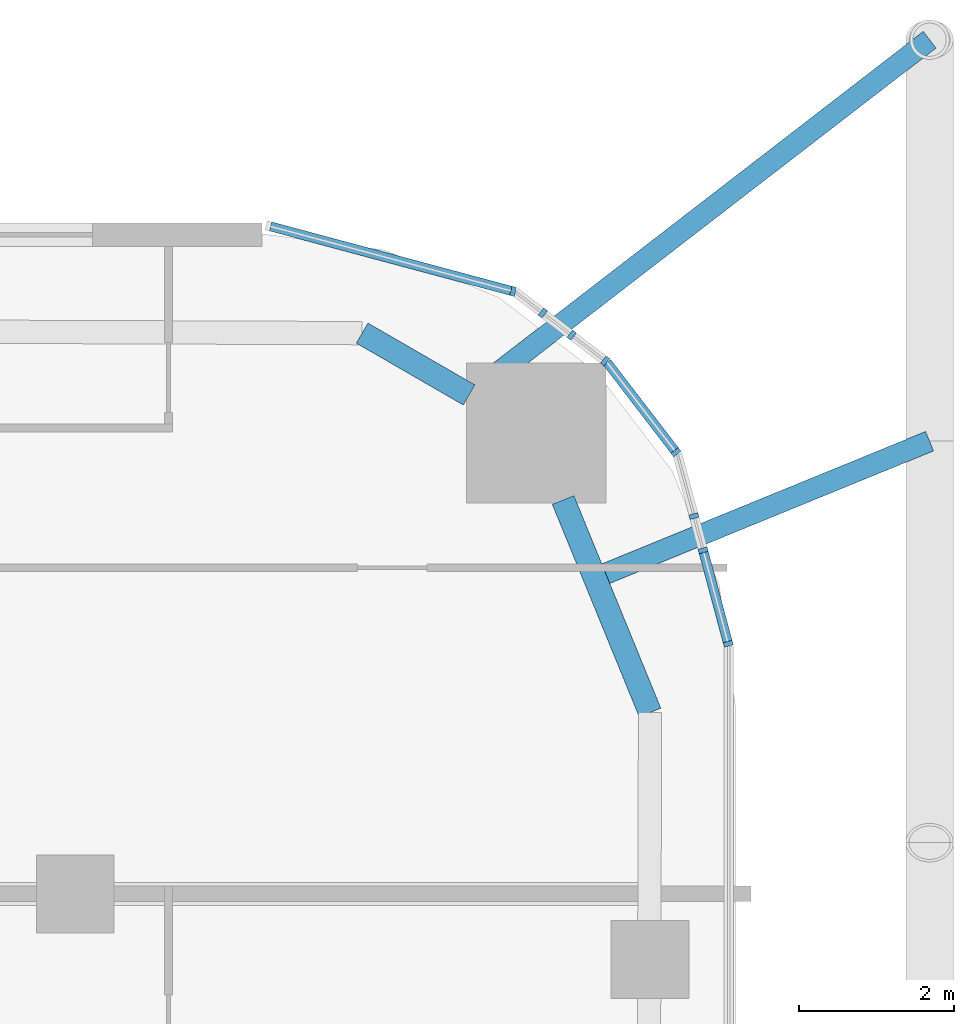
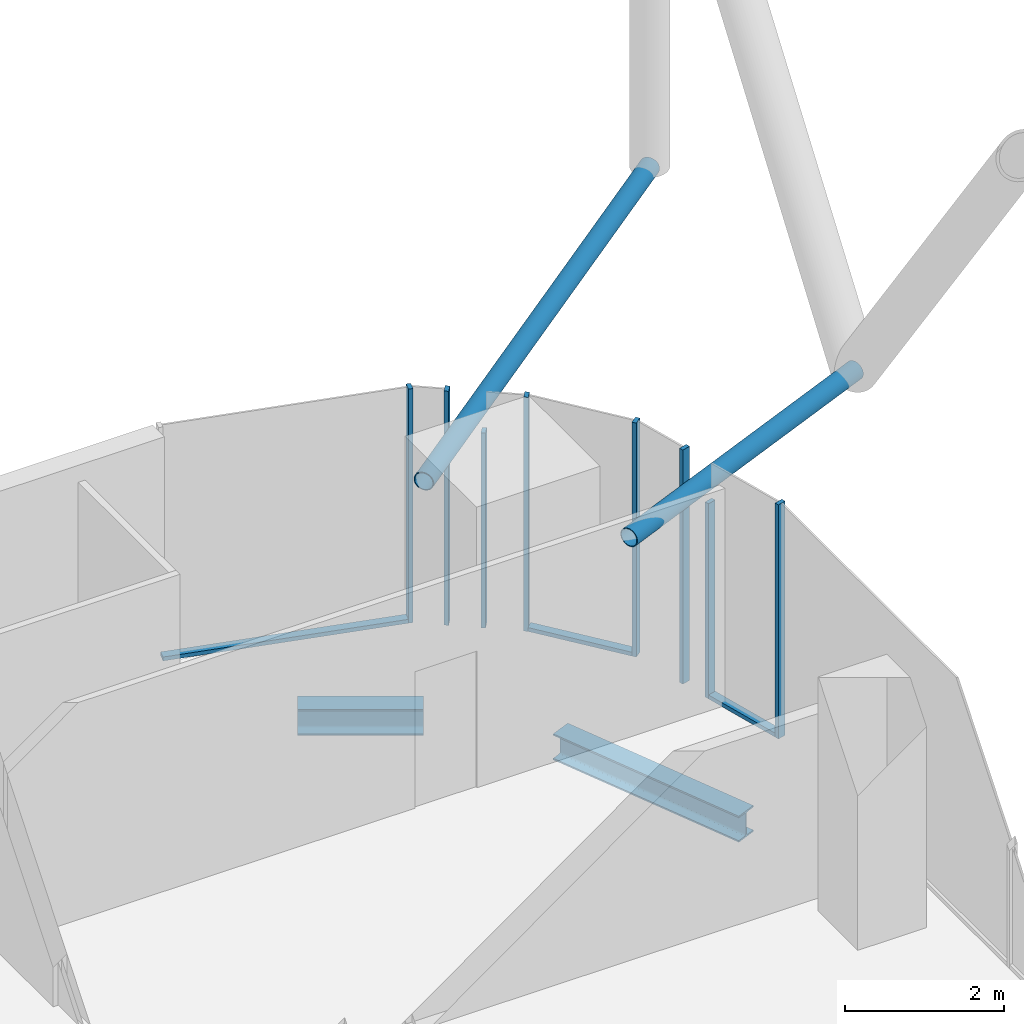
# One storey, part 14 of 38: 13 members, 2 beams, 8 elements without a shape of their own.
"""IFC4 building model written with IfcOpenShell, lengths in metres."""

import ifcopenshell
import ifcopenshell.guid

model = None  # the IFC model being written
_history = None  # IfcOwnerHistory: only IFC2X3 demands one
_inside = {}  # id of a spatial element -> (the spatial element, [elements in it])
_under = {}  # id of a project, library or spatial element -> (it, [spatial elements below it])
_declared = {}  # id of a project -> (the project, [libraries it declares])
_typed = {}  # id of a type object -> (the type object, [elements of that type])
_made_of = {}  # id of a material, layer set ... -> (it, [elements and type objects made of it])


def new_model(schema):
    """Start an empty IFC model of exactly this schema.

    Asked for "IFC4X3", IfcOpenShell would pick the latest addendum, in which some entities
    have other attributes; the version numbers below select the first issue.
    IFC2X3 requires an IfcOwnerHistory on every rooted entity: one is made here for all.
    """
    global model, _history
    if schema == "IFC4X3":
        model = ifcopenshell.file(schema_version=(4, 3, 0, 0))
    else:
        model = ifcopenshell.file(schema=schema)
    _inside.clear()
    _under.clear()
    _declared.clear()
    _typed.clear()
    _made_of.clear()
    _history = None
    if model.schema == "IFC2X3":
        org = make("IfcOrganization", Name="unknown")
        user = make(
            "IfcPersonAndOrganization",
            ThePerson=make("IfcPerson", FamilyName="unknown"),
            TheOrganization=org,
        )
        app = make(
            "IfcApplication",
            ApplicationDeveloper=org,
            Version="unknown",
            ApplicationFullName="unknown",
            ApplicationIdentifier="unknown",
        )
        _history = make(
            "IfcOwnerHistory",
            OwningUser=user,
            OwningApplication=app,
            ChangeAction="ADDED",
            CreationDate=0,
        )
    return model


def make(cls, **values):
    """One entity of the class cls with the attributes given. An attribute that is None is left unset."""
    return model.create_entity(
        cls, **{name: value for name, value in values.items() if value is not None}
    )


def rooted(cls, **values):
    """An entity with a GlobalId (a new one), such as an element, a storey or a relation."""
    return make(cls, GlobalId=ifcopenshell.guid.new(), OwnerHistory=_history, **values)


def si_unit(unit_type, name, prefix=None):
    """IfcSIUnit, for example si_unit("LENGTHUNIT", "METRE", prefix="MILLI")."""
    return make("IfcSIUnit", UnitType=unit_type, Prefix=prefix, Name=name)


def assignment(units):
    """IfcUnitAssignment: the units of a project."""
    return None if units is None else make("IfcUnitAssignment", Units=units)


def point(xyz):
    """IfcCartesianPoint."""
    return None if xyz is None else make("IfcCartesianPoint", Coordinates=xyz)


def direction(xyz):
    """IfcDirection."""
    return None if xyz is None else make("IfcDirection", DirectionRatios=xyz)


def frame(location, z_axis=None, x_axis=None):
    """IfcAxis2Placement3D, a coordinate frame: its origin and axes. An axis left out is left unset."""
    return make(
        "IfcAxis2Placement3D",
        Location=point(location),
        Axis=direction(z_axis),
        RefDirection=direction(x_axis),
    )


def frame_2d(location, x_axis=None):
    """IfcAxis2Placement2D, a coordinate frame in the plane: its origin and x axis."""
    return make(
        "IfcAxis2Placement2D", Location=point(location), RefDirection=direction(x_axis)
    )


def origin():
    """The frame at (0, 0, 0) with its axes left unset."""
    return frame((0.0, 0.0, 0.0))


def origin_2d():
    """The frame at (0, 0) in the plane with its x axis left unset."""
    return frame_2d((0.0, 0.0))


def place(relative_to, where):
    """IfcLocalPlacement: puts the frame where relative to a parent placement (None: the world)."""
    return make(
        "IfcLocalPlacement", PlacementRelTo=relative_to, RelativePlacement=where
    )


def context(
    kind, dimensions, precision=None, world=None, true_north=None, identifier=None
):
    """IfcGeometricRepresentationContext, for example the 3D "Model" context."""
    return make(
        "IfcGeometricRepresentationContext",
        ContextIdentifier=identifier,
        ContextType=kind,
        CoordinateSpaceDimension=dimensions,
        Precision=precision,
        WorldCoordinateSystem=world,
        TrueNorth=true_north,
    )


def subcontext(parent, identifier, kind, view, scale=None):
    """IfcGeometricRepresentationSubContext, for example "Body" below "Model"."""
    return make(
        "IfcGeometricRepresentationSubContext",
        ContextIdentifier=identifier,
        ContextType=kind,
        ParentContext=parent,
        TargetScale=scale,
        TargetView=view,
    )


def project(units=None, contexts=None):
    """IfcProject with its units and contexts."""
    return rooted(
        "IfcProject",
        Name="project",
        RepresentationContexts=contexts,
        UnitsInContext=assignment(units),
    )


def spatial(cls, under=None, at=None, **own):
    """A site, building, storey or space (cls), placed at a placement, below another one or the project."""
    s = rooted(cls, ObjectPlacement=at, **own)
    if under is not None:
        _under.setdefault(under.id(), (under, []))[1].append(s)
    return s


def profile(cls, at=None, kind="AREA", **sizes):
    """A parametric profile (cls). Its sizes go by their IFC names, for example OverallWidth=200.0."""
    return make(cls, ProfileType=kind, Position=at, **sizes)


def rectangle(**sizes):
    """IfcRectangleProfileDef."""
    return profile("IfcRectangleProfileDef", **sizes)


def hollow_circle(**sizes):
    """IfcCircleHollowProfileDef."""
    return profile("IfcCircleHollowProfileDef", **sizes)


def i_section(**sizes):
    """IfcIShapeProfileDef."""
    return profile("IfcIShapeProfileDef", **sizes)


def extrude(swept, where, along, depth):
    """IfcExtrudedAreaSolid: the profile swept, set in the frame where, extruded along a direction by depth."""
    return make(
        "IfcExtrudedAreaSolid",
        SweptArea=swept,
        Position=where,
        ExtrudedDirection=direction(along),
        Depth=depth,
    )


def shape(context_of_items, identifier, shape_type, items):
    """IfcShapeRepresentation: the items that make up one representation, for example the "Body"."""
    return make(
        "IfcShapeRepresentation",
        ContextOfItems=context_of_items,
        RepresentationIdentifier=identifier,
        RepresentationType=shape_type,
        Items=items,
    )


def material(Name=None, Category=None):
    """IfcMaterial."""
    return make("IfcMaterial", Name=Name, Category=Category)


def layer(
    of_material, thickness, ventilated=None, Name=None, Category=None, Priority=None
):
    """IfcMaterialLayer: one layer of a wall or slab, of a material (None: an air gap)."""
    return make(
        "IfcMaterialLayer",
        Material=of_material,
        LayerThickness=thickness,
        IsVentilated=ventilated,
        Name=Name,
        Category=Category,
        Priority=Priority,
    )


def layer_set(layers, Name=None):
    """IfcMaterialLayerSet."""
    return make("IfcMaterialLayerSet", MaterialLayers=layers, LayerSetName=Name)


def material_profile(
    of_material, cross_section, Name=None, Category=None, Priority=None
):
    """IfcMaterialProfile: a cross section and its material."""
    return make(
        "IfcMaterialProfile",
        Name=Name,
        Material=of_material,
        Profile=cross_section,
        Priority=Priority,
        Category=Category,
    )


def profile_set(profiles, Name=None, composite=None):
    """IfcMaterialProfileSet."""
    return make(
        "IfcMaterialProfileSet",
        Name=Name,
        MaterialProfiles=profiles,
        CompositeProfile=composite,
    )


def made_of(thing, what):
    """Note that an element or type object is made of a material, layer set ...; save() writes the relation."""
    if what is not None:
        _made_of.setdefault(what.id(), (what, []))[1].append(thing)
    return thing


def type_object(cls, material=None, **own):
    """A type object (cls), such as IfcWallType, which elements share."""
    return made_of(rooted(cls, **own), material)


def element(
    cls,
    number,
    at=None,
    inside=None,
    cuts=None,
    type_object=None,
    material=None,
    context=None,
    identifier="Body",
    shape_type=None,
    held_by="IfcProductDefinitionShape",
    body=None,
    shapes=None,
    **own,
):
    """One element of the class cls, such as IfcWall. Its Tag is "e" and its number.

    at: its placement. inside: the storey or other place that contains it. cuts: it is an
    opening in that element (IfcRelVoidsElement). A single representation is given by context,
    identifier, shape_type and body (its items); several are given by shapes. held_by: the class
    of the entity that holds the representations. save() writes the other relations.
    """
    e = rooted(cls, Tag="e%d" % number, ObjectPlacement=at, **own)
    if body is not None:
        shapes = [shape(context, identifier, shape_type, body)]
    if shapes is not None:
        e.Representation = make(held_by, Representations=shapes)
    if inside is not None:
        _inside.setdefault(inside.id(), (inside, []))[1].append(e)
    if cuts is not None:
        rooted(
            "IfcRelVoidsElement", RelatingBuildingElement=cuts, RelatedOpeningElement=e
        )
    if type_object is not None:
        _typed.setdefault(type_object.id(), (type_object, []))[1].append(e)
    return made_of(e, material)


def aggregate(whole, parts):
    """IfcRelAggregates: a whole, such as a stair, and the parts it consists of."""
    return rooted("IfcRelAggregates", RelatingObject=whole, RelatedObjects=parts)


def save(model, path):
    """Write the relations noted so far, then the file.

    IfcRelAggregates (storeys below a building ...), IfcRelContainedInSpatialStructure (elements
    in a storey), IfcRelDefinesByType, IfcRelAssociatesMaterial and IfcRelDeclares: one each for
    every whole, place, type object, material and project.
    """
    for whole, parts in _under.values():
        aggregate(whole, parts)
    for where, things in _inside.values():
        rooted(
            "IfcRelContainedInSpatialStructure",
            RelatedElements=things,
            RelatingStructure=where,
        )
    for kind, things in _typed.values():
        rooted("IfcRelDefinesByType", RelatedObjects=things, RelatingType=kind)
    for what, things in _made_of.values():
        rooted("IfcRelAssociatesMaterial", RelatedObjects=things, RelatingMaterial=what)
    for by, libraries in _declared.values():
        rooted("IfcRelDeclares", RelatingContext=by, RelatedDefinitions=libraries)
    model.write(path)


model = new_model("IFC4")

# Units and contexts
model_context = context("Model", 3, precision=1e-05, world=origin(), true_north=direction((0.0, 1.0)))
body_context = subcontext(model_context, "Body", "Model", "MODEL_VIEW")
ifc_project = project(units=[si_unit("LENGTHUNIT", "METRE"), si_unit("AREAUNIT", "SQUARE_METRE"), si_unit("VOLUMEUNIT", "CUBIC_METRE"), si_unit("PLANEANGLEUNIT", "RADIAN"), si_unit("MASSUNIT", "GRAM", prefix="KILO")], contexts=[model_context])

# Site, building, storey
site_placement = place(None, origin())
site = spatial("IfcSite", under=ifc_project, at=site_placement, CompositionType="ELEMENT")
building_placement = place(site_placement, origin())
building = spatial("IfcBuilding", under=site, at=building_placement, Name="Marenta Gate Hotel Tower", CompositionType="ELEMENT")
storey_placement = place(building_placement, frame((0.0, 0.0, 54.5)))
storey = spatial("IfcBuildingStorey", under=building, at=storey_placement, Name="L11", CompositionType="ELEMENT", Elevation=54.5)

# Beams
ifc_material_1 = material(Name="Steel S355", Category="steel")
ifc_material_profile_1 = material_profile(ifc_material_1, i_section(OverallWidth=0.300048828125, OverallDepth=0.39990234375, WebThickness=0.013427734375, FlangeThickness=0.02392578125, FilletRadius=0.027099609375, at=origin_2d()), Name="HEB 400")
ifc_profile_set_1 = profile_set([ifc_material_profile_1], Name="Steel S355")
beam_type = type_object("IfcBeamType", Name="Edge beam HEB 400", PredefinedType="SPANDREL", material=ifc_profile_set_1)
beam_1_placement = place(storey_placement, frame((24.69189453125, 32.42138671875, -0.4599609375), z_axis=(0.865968422476, -0.500098681536, 0.0), x_axis=(0.500098681536, 0.865968422476, 0.0)))
element("IfcBeam", 1, at=beam_1_placement, inside=storey, type_object=beam_type, Name="L11-EB-20", PredefinedType="SPANDREL", context=body_context, shape_type="SweptSolid", body=[
    extrude(i_section(OverallWidth=0.300048828125, OverallDepth=0.39990234375, WebThickness=0.013427734375, FlangeThickness=0.02392578125, FilletRadius=0.027099609375, at=origin_2d()), origin(), (0.0, 0.0, 1.0), 1.591552734375),
])
beam_2_placement = place(storey_placement, frame((27.280029296875, 30.2724609375, -0.4599609375), z_axis=(0.378565359962, -0.925574561144, 0.0), x_axis=(0.925574561144, 0.378565359962, 0.0)))
element("IfcBeam", 2, at=beam_2_placement, inside=storey, type_object=beam_type, Name="L11-EB-21", PredefinedType="SPANDREL", context=body_context, shape_type="SweptSolid", body=[
    extrude(i_section(OverallWidth=0.300048828125, OverallDepth=0.39990234375, WebThickness=0.013427734375, FlangeThickness=0.02392578125, FilletRadius=0.027099609375, at=origin_2d()), origin(), (0.0, 0.0, 1.0), 2.958251953125),
])

# Members
ifc_material_2 = material(Name="Steel S355J2W", Category="steel")
ifc_material_profile_2 = material_profile(ifc_material_2, hollow_circle(Radius=0.136474609375, WallThickness=0.012451171875, at=origin_2d()), Name="CHS 273x12.5")
ifc_profile_set_2 = profile_set([ifc_material_profile_2], Name="Steel S355J2W")
member_type_1 = type_object("IfcMemberType", Name="Floor tie CHS 273x12.5", PredefinedType="STRUT", material=ifc_profile_set_2)
member_1_placement = place(storey_placement, frame((32.0, 36.199951171875, 3.139892578125), z_axis=(-0.791777746729, -0.610809299032, 0.0), x_axis=(0.610809299032, -0.791777746729, 0.0)))
element("IfcMember", 3, at=member_1_placement, inside=storey, type_object=member_type_1, Name="L11-DR-7", PredefinedType="STRUT", context=body_context, shape_type="SweptSolid", body=[
    extrude(hollow_circle(Radius=0.136474609375, WallThickness=0.012451171875, at=origin_2d()), origin(), (0.0, 0.0, 1.0), 7.48193359375),
])
member_2_placement = place(storey_placement, frame((32.0, 31.030029296875, 3.139892578125), z_axis=(-0.925554485394, -0.378614440516, 0.0), x_axis=(0.378614440516, -0.925554485394, 0.0)))
element("IfcMember", 4, at=member_2_placement, inside=storey, type_object=member_type_1, Name="L11-DR-8", PredefinedType="STRUT", context=body_context, shape_type="SweptSolid", body=[
    extrude(hollow_circle(Radius=0.136474609375, WallThickness=0.012451171875, at=origin_2d()), origin(), (0.0, 0.0, 1.0), 4.6484375),
])

# Curtain wall, member
ifc_material_3 = material(Name="Tinted insulated glass in bronze anodised frame", Category="glass")
ifc_layer = layer(ifc_material_3, 0.1201171875)
ifc_layer_set = layer_set([ifc_layer], Name="Tinted insulated glass in bronze anodised frame")
curtain_wall_type = type_object("IfcCurtainWallType", Name="Tower unitised curtain wall CW1", PredefinedType="NOTDEFINED", material=ifc_layer_set)
curtain_wall_1_placement = place(storey_placement, origin())
curtain_wall_1 = element("IfcCurtainWall", 5, at=curtain_wall_1_placement, inside=storey, type_object=curtain_wall_type, Name="CW1 run G35", PredefinedType="NOTDEFINED")
ifc_material_4 = material(Name="Bronze anodised aluminium", Category="aluminium")
ifc_material_profile_3 = material_profile(ifc_material_4, rectangle(XDim=0.1201171875, YDim=0.06005859375, at=origin_2d()), Name="Mullion CW1 60x120 bronze anodised aluminium")
ifc_profile_set_3 = profile_set([ifc_material_profile_3], Name="Bronze anodised aluminium")
member_type_2 = type_object("IfcMemberType", Name="Mullion CW1 60x120 bronze anodised aluminium", PredefinedType="MULLION", material=ifc_profile_set_3)
member_3_placement = place(storey_placement, frame((29.40625, 28.4208984375, 0.0), z_axis=(0.0, 0.0, 1.0), x_axis=(-0.965926558196, -0.258816313572, 0.0)))
member_3 = element("IfcMember", 6, at=member_3_placement, type_object=member_type_2, Name="CW1 mullion 1", PredefinedType="MULLION", context=body_context, shape_type="SweptSolid", body=[
    extrude(rectangle(XDim=0.1201171875, YDim=0.06005859375, at=origin_2d()), origin(), (0.0, 0.0, 1.0), 3.60009765625),
])

curtain_wall_2_placement = place(storey_placement, origin())
curtain_wall_2 = element("IfcCurtainWall", 7, at=curtain_wall_2_placement, inside=storey, type_object=curtain_wall_type, Name="CW1 run G36", PredefinedType="NOTDEFINED")
member_4_placement = place(storey_placement, frame((29.083740234375, 29.62451171875, 0.0), z_axis=(0.0, 0.0, 1.0), x_axis=(-0.965921659399, -0.258834595648, 0.0)))
member_4 = element("IfcMember", 8, at=member_4_placement, type_object=member_type_2, Name="CW1 mullion 1", PredefinedType="MULLION", context=body_context, shape_type="SweptSolid", body=[
    extrude(rectangle(XDim=0.1201171875, YDim=0.06005859375, at=origin_2d()), origin(), (0.0, 0.0, 1.0), 3.00048828125),
])
aggregate(curtain_wall_2, [member_4])

curtain_wall_3_placement = place(storey_placement, origin())
curtain_wall_3 = element("IfcCurtainWall", 9, at=curtain_wall_3_placement, inside=storey, type_object=curtain_wall_type, Name="CW1 run G37", PredefinedType="NOTDEFINED")
member_5_placement = place(storey_placement, frame((28.965576171875, 30.065673828125, 0.0), z_axis=(0.0, 0.0, 1.0), x_axis=(-0.96592463299, -0.258823498514, 0.0)))
member_5 = element("IfcMember", 10, at=member_5_placement, type_object=member_type_2, Name="CW1 mullion 1", PredefinedType="MULLION", context=body_context, shape_type="SweptSolid", body=[
    extrude(rectangle(XDim=0.1201171875, YDim=0.06005859375, at=origin_2d()), origin(), (0.0, 0.0, 1.0), 3.60009765625),
])
aggregate(curtain_wall_3, [member_5])

curtain_wall_4_placement = place(storey_placement, origin())
curtain_wall_4 = element("IfcCurtainWall", 11, at=curtain_wall_4_placement, inside=storey, type_object=curtain_wall_type, Name="CW1 run G38", PredefinedType="NOTDEFINED")
member_6_placement = place(storey_placement, frame((28.733154296875, 30.888916015625, 0.0), z_axis=(0.0, 0.0, 1.0), x_axis=(-0.79333801153, -0.608781405318, 0.0)))
member_6 = element("IfcMember", 12, at=member_6_placement, type_object=member_type_2, Name="CW1 mullion 1", PredefinedType="MULLION", context=body_context, shape_type="SweptSolid", body=[
    extrude(rectangle(XDim=0.1201171875, YDim=0.06005859375, at=origin_2d()), origin(), (0.0, 0.0, 1.0), 3.60009765625),
])

curtain_wall_5_placement = place(storey_placement, origin())
curtain_wall_5 = element("IfcCurtainWall", 13, at=curtain_wall_5_placement, inside=storey, type_object=curtain_wall_type, Name="CW1 run G39", PredefinedType="NOTDEFINED")
member_7_placement = place(storey_placement, frame((27.82177734375, 32.063720703125, 0.0), z_axis=(0.0, 0.0, 1.0), x_axis=(-0.608794550401, -0.793327924254, 0.0)))
member_7 = element("IfcMember", 14, at=member_7_placement, type_object=member_type_2, Name="CW1 mullion 1", PredefinedType="MULLION", context=body_context, shape_type="SweptSolid", body=[
    extrude(rectangle(XDim=0.1201171875, YDim=0.06005859375, at=origin_2d()), origin(), (0.0, 0.0, 1.0), 3.60009765625),
])
aggregate(curtain_wall_5, [member_7])

curtain_wall_6_placement = place(storey_placement, origin())
curtain_wall_6 = element("IfcCurtainWall", 15, at=curtain_wall_6_placement, inside=storey, type_object=curtain_wall_type, Name="CW1 run G40", PredefinedType="NOTDEFINED")
member_8_placement = place(storey_placement, frame((27.390380859375, 32.394775390625, 0.0), z_axis=(0.0, 0.0, 1.0), x_axis=(-0.608771939349, -0.793345275313, 0.0)))
member_8 = element("IfcMember", 16, at=member_8_placement, type_object=member_type_2, Name="CW1 mullion 1", PredefinedType="MULLION", context=body_context, shape_type="SweptSolid", body=[
    extrude(rectangle(XDim=0.1201171875, YDim=0.06005859375, at=origin_2d()), origin(), (0.0, 0.0, 1.0), 3.00048828125),
])
aggregate(curtain_wall_6, [member_8])

curtain_wall_7_placement = place(storey_placement, origin())
curtain_wall_7 = element("IfcCurtainWall", 17, at=curtain_wall_7_placement, inside=storey, type_object=curtain_wall_type, Name="CW1 run G41", PredefinedType="NOTDEFINED")
member_9_placement = place(storey_placement, frame((27.018798828125, 32.679931640625, 0.0), z_axis=(0.0, 0.0, 1.0), x_axis=(-0.608775711402, -0.793342380821, 0.0)))
member_9 = element("IfcMember", 18, at=member_9_placement, type_object=member_type_2, Name="CW1 mullion 1", PredefinedType="MULLION", context=body_context, shape_type="SweptSolid", body=[
    extrude(rectangle(XDim=0.1201171875, YDim=0.06005859375, at=origin_2d()), origin(), (0.0, 0.0, 1.0), 3.60009765625),
])
aggregate(curtain_wall_7, [member_9])

curtain_wall_8_placement = place(storey_placement, origin())
curtain_wall_8 = element("IfcCurtainWall", 19, at=curtain_wall_8_placement, inside=storey, type_object=curtain_wall_type, Name="CW1 run G42", PredefinedType="NOTDEFINED")
member_10_placement = place(storey_placement, frame((26.63623046875, 32.958984375, 0.0), z_axis=(0.0, 0.0, 1.0), x_axis=(-0.258807310344, -0.965928970532, 0.0)))
member_10 = element("IfcMember", 20, at=member_10_placement, type_object=member_type_2, Name="CW1 mullion 1", PredefinedType="MULLION", context=body_context, shape_type="SweptSolid", body=[
    extrude(rectangle(XDim=0.1201171875, YDim=0.06005859375, at=origin_2d()), origin(), (0.0, 0.0, 1.0), 3.60009765625),
])

# Member
ifc_material_5 = material(Name="Bronze anodised aluminium", Category="aluminium")
ifc_material_profile_4 = material_profile(ifc_material_5, rectangle(XDim=0.1201171875, YDim=0.06005859375, at=origin_2d()), Name="Transom CW1 60x120 bronze anodised aluminium")
ifc_profile_set_4 = profile_set([ifc_material_profile_4], Name="Bronze anodised aluminium")
member_type_3 = type_object("IfcMemberType", Name="Transom CW1 60x120 bronze anodised aluminium", PredefinedType="USERDEFINED", material=ifc_profile_set_4)
member_11_placement = place(storey_placement, frame((29.3984375, 28.449951171875, 0.030029296875), z_axis=(-0.258777246525, 0.965937025215, 0.0), x_axis=(-0.965937025215, -0.258777246525, 0.0)))
member_11 = element("IfcMember", 21, at=member_11_placement, type_object=member_type_3, Name="CW1 transom 1.1", ObjectType="TRANSOM", PredefinedType="USERDEFINED", context=body_context, shape_type="SweptSolid", body=[
    extrude(rectangle(XDim=0.1201171875, YDim=0.06005859375, at=origin_2d()), origin(), (0.0, 0.0, 1.0), 1.185791015625),
])

aggregate(curtain_wall_1, [member_3, member_11])

member_12_placement = place(storey_placement, frame((28.71484375, 30.91259765625, 0.030029296875), z_axis=(-0.60882629199, 0.793303564963, 0.0), x_axis=(-0.793303564963, -0.60882629199, 0.0)))
member_12 = element("IfcMember", 22, at=member_12_placement, type_object=member_type_3, Name="CW1 transom 1.1", ObjectType="TRANSOM", PredefinedType="USERDEFINED", context=body_context, shape_type="SweptSolid", body=[
    extrude(rectangle(XDim=0.1201171875, YDim=0.06005859375, at=origin_2d()), origin(), (0.0, 0.0, 1.0), 1.427978515625),
])

aggregate(curtain_wall_4, [member_6, member_12])

member_13_placement = place(storey_placement, frame((26.607177734375, 32.966796875, 0.030029296875), z_axis=(-0.965933076693, 0.258791984709, 0.0), x_axis=(-0.258791984709, -0.965933076693, 0.0)))
member_13 = element("IfcMember", 23, at=member_13_placement, type_object=member_type_3, Name="CW1 transom 1.1", ObjectType="TRANSOM", PredefinedType="USERDEFINED", context=body_context, shape_type="SweptSolid", body=[
    extrude(rectangle(XDim=0.1201171875, YDim=0.06005859375, at=origin_2d()), origin(), (0.0, 0.0, 1.0), 3.201904296875),
])

aggregate(curtain_wall_8, [member_10, member_13])

save(model, "model.ifc")
